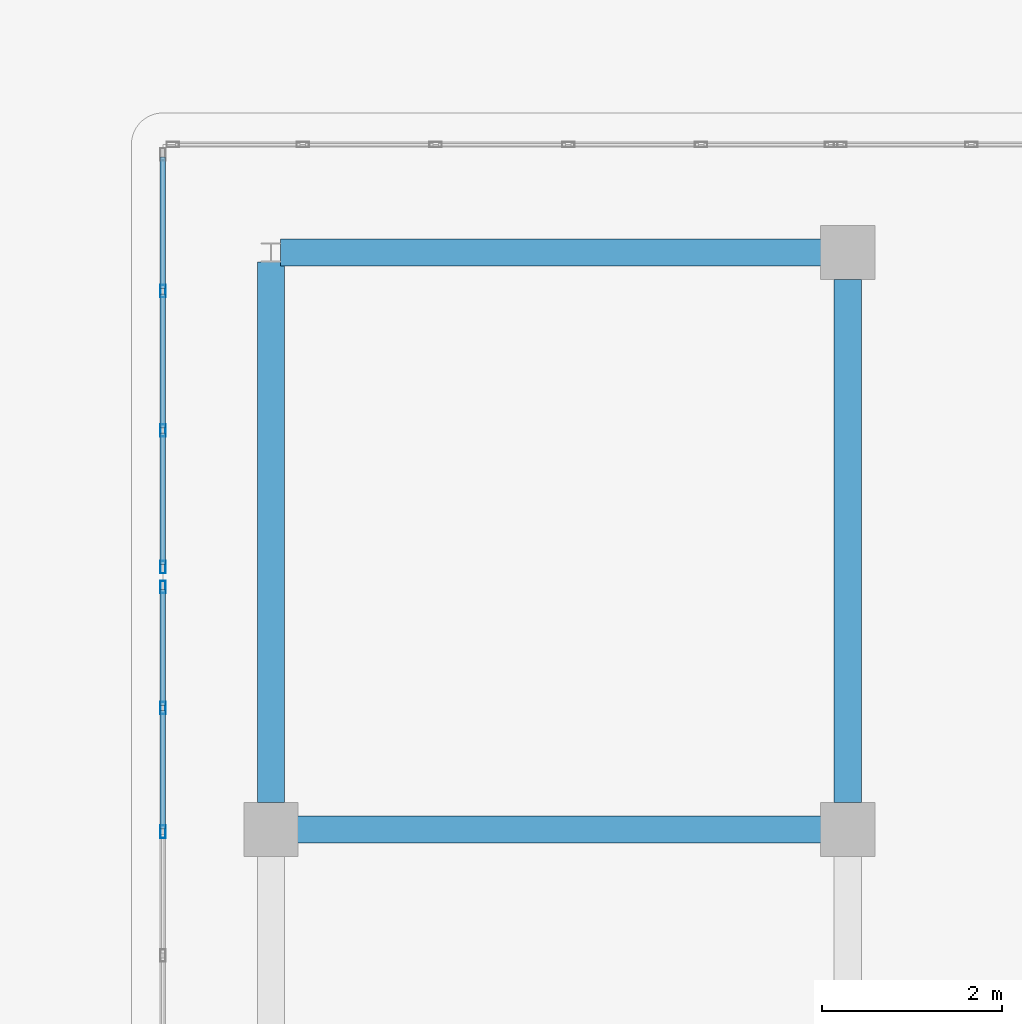
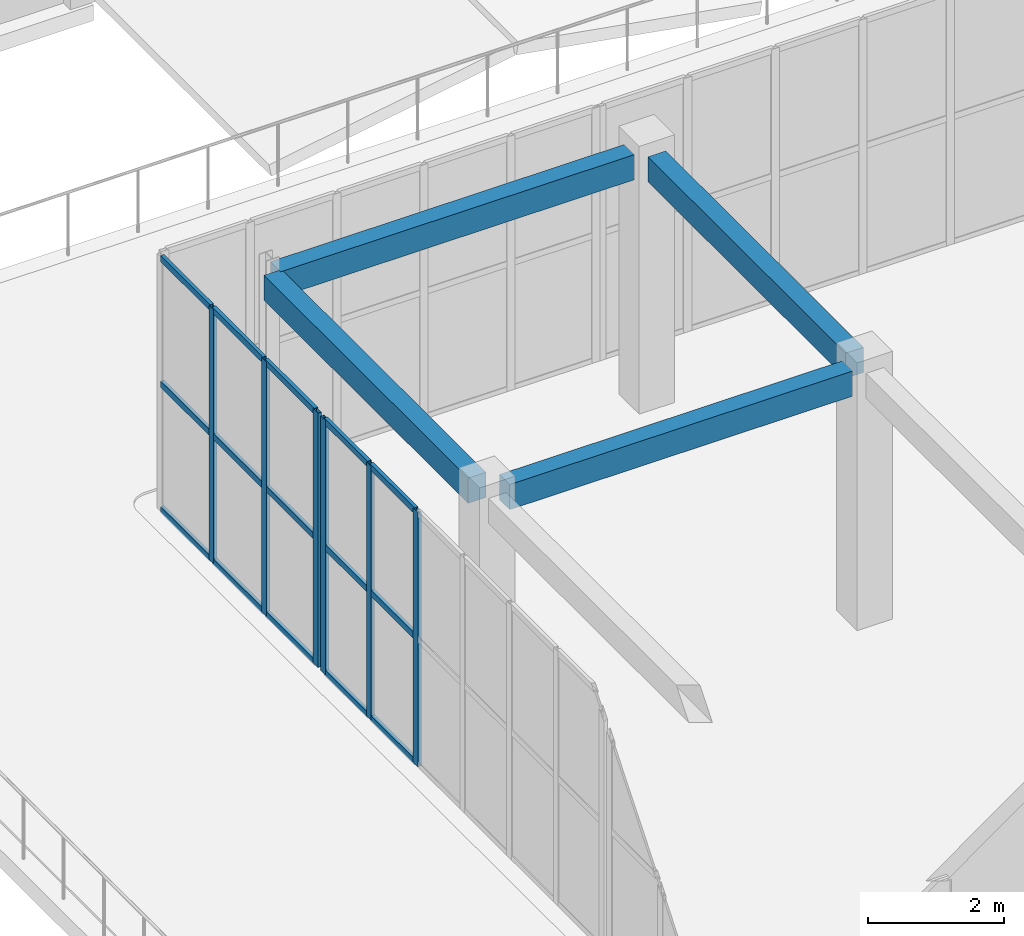
# One storey, part 58 of 158: 21 members, 4 beams, 2 elements without a shape of their own.
"""IFC4 building model written with IfcOpenShell, lengths in metres."""

from ifc_helpers import new_model, si_unit, direction, frame, origin, origin_2d, place, context, subcontext, project, spatial, rectangle, hollow_rectangle, extrude, material, layer, layer_set, material_profile, profile_set, type_object, element, aggregate, save


model = new_model("IFC4")

# Units and contexts
model_context = context("Model", 3, precision=1e-05, world=origin(), true_north=direction((0.0, 1.0)))
body_context = subcontext(model_context, "Body", "Model", "MODEL_VIEW")
ifc_project = project(units=[si_unit("LENGTHUNIT", "METRE"), si_unit("AREAUNIT", "SQUARE_METRE"), si_unit("VOLUMEUNIT", "CUBIC_METRE"), si_unit("PLANEANGLEUNIT", "RADIAN"), si_unit("MASSUNIT", "GRAM", prefix="KILO")], contexts=[model_context])

# Site, building, storey
site_placement = place(None, origin())
site = spatial("IfcSite", under=ifc_project, at=site_placement, CompositionType="ELEMENT")
building_placement = place(site_placement, origin())
building = spatial("IfcBuilding", under=site, at=building_placement, Name="Trelvath General Hospital", CompositionType="ELEMENT")
storey_placement = place(building_placement, frame((0.0, 0.0, 8.10009765625)))
storey = spatial("IfcBuildingStorey", under=building, at=storey_placement, Name="L02", CompositionType="ELEMENT", Elevation=8.10009765625)

# Beams
ifc_material_1 = material(Name="Concrete C35/45", Category="concrete")
ifc_material_profile_1 = material_profile(ifc_material_1, rectangle(XDim=0.300048828125, YDim=0.449951171875, at=origin_2d()), Name="RCB300x450")
ifc_profile_set_1 = profile_set([ifc_material_profile_1], Name="Concrete C35/45")
beam_type = type_object("IfcBeamType", Name="Beam RC300x450", PredefinedType="BEAM", material=ifc_profile_set_1)
beam_1_placement = place(storey_placement, frame((54.696044921875, 72.800048828125, 4.3349609375), z_axis=(1.0, 0.0, 0.0), x_axis=(0.0, 1.0, 0.0)))
element("IfcBeam", 1, at=beam_1_placement, inside=storey, type_object=beam_type, Name="Cube Interior Ring Beam CUBE-W-T1 L02", PredefinedType="BEAM", context=body_context, shape_type="SweptSolid", body=[
    extrude(rectangle(XDim=0.300048828125, YDim=0.449951171875, at=origin_2d()), origin(), (0.0, 0.0, 1.0), 5.807861328125),
])
beam_2_placement = place(storey_placement, frame((54.506103515625, 79.199951171875, 4.3349609375), z_axis=(1.0, 0.0, 0.0), x_axis=(0.0, 1.0, 0.0)))
element("IfcBeam", 2, at=beam_2_placement, inside=storey, type_object=beam_type, Name="Cube Interior Ring Beam CUBE-W-T1 L02", PredefinedType="BEAM", context=body_context, shape_type="SweptSolid", body=[
    extrude(rectangle(XDim=0.300048828125, YDim=0.449951171875, at=origin_2d()), origin(), (0.0, 0.0, 1.0), 5.997802734375),
])
beam_3_placement = place(storey_placement, frame((54.39990234375, 73.095947265625, 4.3349609375), z_axis=(0.0, 1.0, 0.0), x_axis=(-1.0, 0.0, 0.0)))
element("IfcBeam", 3, at=beam_3_placement, inside=storey, type_object=beam_type, Name="Cube Interior Ring Beam CUBE-W-T1 L02", PredefinedType="BEAM", context=body_context, shape_type="SweptSolid", body=[
    extrude(rectangle(XDim=0.300048828125, YDim=0.449951171875, at=origin_2d()), origin(), (0.0, 0.0, 1.0), 5.998046875),
])
beam_4_placement = place(storey_placement, frame((60.800048828125, 73.095947265625, 4.3349609375), z_axis=(0.0, 1.0, 0.0), x_axis=(-1.0, 0.0, 0.0)))
element("IfcBeam", 4, at=beam_4_placement, inside=storey, type_object=beam_type, Name="Cube Interior Ring Beam CUBE-W-T1 L02", PredefinedType="BEAM", context=body_context, shape_type="SweptSolid", body=[
    extrude(rectangle(XDim=0.300048828125, YDim=0.449951171875, at=origin_2d()), origin(), (0.0, 0.0, 1.0), 5.80810546875),
])

# Curtain wall, members
ifc_material_2 = material(Name="Anodised aluminium and low-E glass", Category="aluminium")
ifc_layer_1 = layer(ifc_material_2, 0.139892578125)
ifc_layer_set_1 = layer_set([ifc_layer_1], Name="Anodised aluminium and low-E glass")
curtain_wall_type_1 = type_object("IfcCurtainWallType", Name="CW CrystalCube 824 456 14", PredefinedType="USERDEFINED", material=ifc_layer_set_1)
curtain_wall_1_placement = place(storey_placement, origin())
curtain_wall_1 = element("IfcCurtainWall", 5, at=curtain_wall_1_placement, inside=storey, type_object=curtain_wall_type_1, Name="Crystal Cube Curtain Wall CUBE-W-T1 W6 L02", ObjectType="Unitised Glazed Curtain Wall", PredefinedType="USERDEFINED")
ifc_material_3 = material(Name="Anodised aluminium", Category="aluminium")
ifc_material_profile_2 = material_profile(ifc_material_3, hollow_rectangle(XDim=0.06005859375, YDim=0.139892578125, WallThickness=0.00390625, at=origin_2d()), Name="RHS60x140x4")
ifc_profile_set_2 = profile_set([ifc_material_profile_2], Name="Anodised aluminium")
member_type_1 = type_object("IfcMemberType", Name="CurtainMullion 60x140", PredefinedType="MULLION", material=ifc_profile_set_2)
member_1_placement = place(storey_placement, frame((53.199951171875, 72.7734375, 0.0), z_axis=(0.0, 0.0, 1.0), x_axis=(-1.0, 0.0, 0.0)))
member_1 = element("IfcMember", 6, at=member_1_placement, type_object=member_type_1, Name="CW-201 mullion 5", PredefinedType="MULLION", context=body_context, shape_type="SweptSolid", body=[
    extrude(hollow_rectangle(XDim=0.06005859375, YDim=0.139892578125, WallThickness=0.00390625, at=origin_2d()), origin(), (0.0, 0.0, 1.0), 4.559814453125),
])
member_2_placement = place(storey_placement, frame((53.199951171875, 74.146728515625, 0.0), z_axis=(0.0, 0.0, 1.0), x_axis=(-1.0, 0.0, 0.0)))
member_2 = element("IfcMember", 7, at=member_2_placement, type_object=member_type_1, Name="CW-201 mullion 6", PredefinedType="MULLION", context=body_context, shape_type="SweptSolid", body=[
    extrude(hollow_rectangle(XDim=0.06005859375, YDim=0.139892578125, WallThickness=0.00390625, at=origin_2d()), origin(), (0.0, 0.0, 1.0), 4.559814453125),
])
member_3_placement = place(storey_placement, frame((53.199951171875, 75.489990234375, 0.0), z_axis=(0.0, 0.0, 1.0), x_axis=(-1.0, 0.0, 0.0)))
member_3 = element("IfcMember", 8, at=member_3_placement, type_object=member_type_1, Name="CW-201 mullion 7", PredefinedType="MULLION", context=body_context, shape_type="SweptSolid", body=[
    extrude(hollow_rectangle(XDim=0.06005859375, YDim=0.139892578125, WallThickness=0.00390625, at=origin_2d()), origin(), (0.0, 0.0, 1.0), 4.559814453125),
])

ifc_material_4 = material(Name="Anodised aluminium and low-E glass", Category="aluminium")
ifc_layer_2 = layer(ifc_material_4, 0.139892578125)
ifc_layer_set_2 = layer_set([ifc_layer_2], Name="Anodised aluminium and low-E glass")
curtain_wall_type_2 = type_object("IfcCurtainWallType", Name="CW CrystalCube 464 456 14", PredefinedType="USERDEFINED", material=ifc_layer_set_2)
curtain_wall_2_placement = place(storey_placement, origin())
curtain_wall_2 = element("IfcCurtainWall", 9, at=curtain_wall_2_placement, inside=storey, type_object=curtain_wall_type_2, Name="Crystal Cube Curtain Wall CUBE-W-T1 W7 L02", ObjectType="Unitised Glazed Curtain Wall", PredefinedType="USERDEFINED")
member_4_placement = place(storey_placement, frame((53.199951171875, 75.7099609375, 0.0), z_axis=(0.0, 0.0, 1.0), x_axis=(-1.0, 0.0, 0.0)))
member_4 = element("IfcMember", 10, at=member_4_placement, type_object=member_type_1, Name="CW-203 mullion 1", PredefinedType="MULLION", context=body_context, shape_type="SweptSolid", body=[
    extrude(hollow_rectangle(XDim=0.06005859375, YDim=0.139892578125, WallThickness=0.00390625, at=origin_2d()), origin(), (0.0, 0.0, 1.0), 4.559814453125),
])
member_5_placement = place(storey_placement, frame((53.199951171875, 77.2265625, 0.0), z_axis=(0.0, 0.0, 1.0), x_axis=(-1.0, 0.0, 0.0)))
member_5 = element("IfcMember", 11, at=member_5_placement, type_object=member_type_1, Name="CW-203 mullion 2", PredefinedType="MULLION", context=body_context, shape_type="SweptSolid", body=[
    extrude(hollow_rectangle(XDim=0.06005859375, YDim=0.139892578125, WallThickness=0.00390625, at=origin_2d()), origin(), (0.0, 0.0, 1.0), 4.559814453125),
])
member_6_placement = place(storey_placement, frame((53.199951171875, 78.7734375, 0.0), z_axis=(0.0, 0.0, 1.0), x_axis=(-1.0, 0.0, 0.0)))
member_6 = element("IfcMember", 12, at=member_6_placement, type_object=member_type_1, Name="CW-203 mullion 3", PredefinedType="MULLION", context=body_context, shape_type="SweptSolid", body=[
    extrude(hollow_rectangle(XDim=0.06005859375, YDim=0.139892578125, WallThickness=0.00390625, at=origin_2d()), origin(), (0.0, 0.0, 1.0), 4.559814453125),
])

# Member
ifc_material_5 = material(Name="Anodised aluminium", Category="aluminium")
ifc_material_profile_3 = material_profile(ifc_material_5, hollow_rectangle(XDim=0.06005859375, YDim=0.110107421875, WallThickness=0.00390625, at=origin_2d()), Name="RHS60x110x4")
ifc_profile_set_3 = profile_set([ifc_material_profile_3], Name="Anodised aluminium")
member_type_2 = type_object("IfcMemberType", Name="CurtainTransom 60x110", PredefinedType="USERDEFINED", material=ifc_profile_set_3)
member_7_placement = place(storey_placement, frame((53.199951171875, 72.80322265625, 0.02978515625), z_axis=(0.0, 1.0, 0.0), x_axis=(-1.0, 0.0, 0.0)))
member_7 = element("IfcMember", 13, at=member_7_placement, type_object=member_type_2, Name="CW-201 transom 5.1", ObjectType="TRANSOM", PredefinedType="USERDEFINED", context=body_context, shape_type="SweptSolid", body=[
    extrude(hollow_rectangle(XDim=0.06005859375, YDim=0.110107421875, WallThickness=0.00390625, at=origin_2d()), origin(), (0.0, 0.0, 1.0), 1.3134765625),
])

member_8_placement = place(storey_placement, frame((53.199951171875, 72.80322265625, 2.27978515625), z_axis=(0.0, 1.0, 0.0), x_axis=(-1.0, 0.0, 0.0)))
member_8 = element("IfcMember", 14, at=member_8_placement, type_object=member_type_2, Name="CW-201 transom 5.2", ObjectType="TRANSOM", PredefinedType="USERDEFINED", context=body_context, shape_type="SweptSolid", body=[
    extrude(hollow_rectangle(XDim=0.06005859375, YDim=0.110107421875, WallThickness=0.00390625, at=origin_2d()), origin(), (0.0, 0.0, 1.0), 1.3134765625),
])

member_9_placement = place(storey_placement, frame((53.199951171875, 72.80322265625, 4.52978515625), z_axis=(0.0, 1.0, 0.0), x_axis=(-1.0, 0.0, 0.0)))
member_9 = element("IfcMember", 15, at=member_9_placement, type_object=member_type_2, Name="CW-201 transom 5.3", ObjectType="TRANSOM", PredefinedType="USERDEFINED", context=body_context, shape_type="SweptSolid", body=[
    extrude(hollow_rectangle(XDim=0.06005859375, YDim=0.110107421875, WallThickness=0.00390625, at=origin_2d()), origin(), (0.0, 0.0, 1.0), 1.3134765625),
])

member_10_placement = place(storey_placement, frame((53.199951171875, 74.1767578125, 0.02978515625), z_axis=(0.0, 1.0, 0.0), x_axis=(-1.0, 0.0, 0.0)))
member_10 = element("IfcMember", 16, at=member_10_placement, type_object=member_type_2, Name="CW-201 transom 6.1", ObjectType="TRANSOM", PredefinedType="USERDEFINED", context=body_context, shape_type="SweptSolid", body=[
    extrude(hollow_rectangle(XDim=0.06005859375, YDim=0.110107421875, WallThickness=0.00390625, at=origin_2d()), origin(), (0.0, 0.0, 1.0), 1.283203125),
])

member_11_placement = place(storey_placement, frame((53.199951171875, 74.1767578125, 2.27978515625), z_axis=(0.0, 1.0, 0.0), x_axis=(-1.0, 0.0, 0.0)))
member_11 = element("IfcMember", 17, at=member_11_placement, type_object=member_type_2, Name="CW-201 transom 6.2", ObjectType="TRANSOM", PredefinedType="USERDEFINED", context=body_context, shape_type="SweptSolid", body=[
    extrude(hollow_rectangle(XDim=0.06005859375, YDim=0.110107421875, WallThickness=0.00390625, at=origin_2d()), origin(), (0.0, 0.0, 1.0), 1.283203125),
])

member_12_placement = place(storey_placement, frame((53.199951171875, 74.1767578125, 4.52978515625), z_axis=(0.0, 1.0, 0.0), x_axis=(-1.0, 0.0, 0.0)))
member_12 = element("IfcMember", 18, at=member_12_placement, type_object=member_type_2, Name="CW-201 transom 6.3", ObjectType="TRANSOM", PredefinedType="USERDEFINED", context=body_context, shape_type="SweptSolid", body=[
    extrude(hollow_rectangle(XDim=0.06005859375, YDim=0.110107421875, WallThickness=0.00390625, at=origin_2d()), origin(), (0.0, 0.0, 1.0), 1.283203125),
])

aggregate(curtain_wall_1, [member_1, member_2, member_3, member_7, member_8, member_9, member_10, member_11, member_12])

member_13_placement = place(storey_placement, frame((53.199951171875, 75.739990234375, 0.02978515625), z_axis=(0.0, 1.0, 0.0), x_axis=(-1.0, 0.0, 0.0)))
member_13 = element("IfcMember", 19, at=member_13_placement, type_object=member_type_2, Name="CW-203 transom 1.1", ObjectType="TRANSOM", PredefinedType="USERDEFINED", context=body_context, shape_type="SweptSolid", body=[
    extrude(hollow_rectangle(XDim=0.06005859375, YDim=0.110107421875, WallThickness=0.00390625, at=origin_2d()), origin(), (0.0, 0.0, 1.0), 1.456787109375),
])

member_14_placement = place(storey_placement, frame((53.199951171875, 75.739990234375, 2.27978515625), z_axis=(0.0, 1.0, 0.0), x_axis=(-1.0, 0.0, 0.0)))
member_14 = element("IfcMember", 20, at=member_14_placement, type_object=member_type_2, Name="CW-203 transom 1.2", ObjectType="TRANSOM", PredefinedType="USERDEFINED", context=body_context, shape_type="SweptSolid", body=[
    extrude(hollow_rectangle(XDim=0.06005859375, YDim=0.110107421875, WallThickness=0.00390625, at=origin_2d()), origin(), (0.0, 0.0, 1.0), 1.456787109375),
])

member_15_placement = place(storey_placement, frame((53.199951171875, 75.739990234375, 4.52978515625), z_axis=(0.0, 1.0, 0.0), x_axis=(-1.0, 0.0, 0.0)))
member_15 = element("IfcMember", 21, at=member_15_placement, type_object=member_type_2, Name="CW-203 transom 1.3", ObjectType="TRANSOM", PredefinedType="USERDEFINED", context=body_context, shape_type="SweptSolid", body=[
    extrude(hollow_rectangle(XDim=0.06005859375, YDim=0.110107421875, WallThickness=0.00390625, at=origin_2d()), origin(), (0.0, 0.0, 1.0), 1.456787109375),
])

member_16_placement = place(storey_placement, frame((53.199951171875, 77.256591796875, 0.02978515625), z_axis=(0.0, 1.0, 0.0), x_axis=(-1.0, 0.0, 0.0)))
member_16 = element("IfcMember", 22, at=member_16_placement, type_object=member_type_2, Name="CW-203 transom 2.1", ObjectType="TRANSOM", PredefinedType="USERDEFINED", context=body_context, shape_type="SweptSolid", body=[
    extrude(hollow_rectangle(XDim=0.06005859375, YDim=0.110107421875, WallThickness=0.00390625, at=origin_2d()), origin(), (0.0, 0.0, 1.0), 1.48681640625),
])

member_17_placement = place(storey_placement, frame((53.199951171875, 77.256591796875, 2.27978515625), z_axis=(0.0, 1.0, 0.0), x_axis=(-1.0, 0.0, 0.0)))
member_17 = element("IfcMember", 23, at=member_17_placement, type_object=member_type_2, Name="CW-203 transom 2.2", ObjectType="TRANSOM", PredefinedType="USERDEFINED", context=body_context, shape_type="SweptSolid", body=[
    extrude(hollow_rectangle(XDim=0.06005859375, YDim=0.110107421875, WallThickness=0.00390625, at=origin_2d()), origin(), (0.0, 0.0, 1.0), 1.48681640625),
])

member_18_placement = place(storey_placement, frame((53.199951171875, 77.256591796875, 4.52978515625), z_axis=(0.0, 1.0, 0.0), x_axis=(-1.0, 0.0, 0.0)))
member_18 = element("IfcMember", 24, at=member_18_placement, type_object=member_type_2, Name="CW-203 transom 2.3", ObjectType="TRANSOM", PredefinedType="USERDEFINED", context=body_context, shape_type="SweptSolid", body=[
    extrude(hollow_rectangle(XDim=0.06005859375, YDim=0.110107421875, WallThickness=0.00390625, at=origin_2d()), origin(), (0.0, 0.0, 1.0), 1.48681640625),
])

member_19_placement = place(storey_placement, frame((53.199951171875, 78.80322265625, 0.02978515625), z_axis=(0.0, 1.0, 0.0), x_axis=(-1.0, 0.0, 0.0)))
member_19 = element("IfcMember", 25, at=member_19_placement, type_object=member_type_2, Name="CW-203 transom 3.1", ObjectType="TRANSOM", PredefinedType="USERDEFINED", context=body_context, shape_type="SweptSolid", body=[
    extrude(hollow_rectangle(XDim=0.06005859375, YDim=0.110107421875, WallThickness=0.00390625, at=origin_2d()), origin(), (0.0, 0.0, 1.0), 1.456787109375),
])

member_20_placement = place(storey_placement, frame((53.199951171875, 78.80322265625, 2.27978515625), z_axis=(0.0, 1.0, 0.0), x_axis=(-1.0, 0.0, 0.0)))
member_20 = element("IfcMember", 26, at=member_20_placement, type_object=member_type_2, Name="CW-203 transom 3.2", ObjectType="TRANSOM", PredefinedType="USERDEFINED", context=body_context, shape_type="SweptSolid", body=[
    extrude(hollow_rectangle(XDim=0.06005859375, YDim=0.110107421875, WallThickness=0.00390625, at=origin_2d()), origin(), (0.0, 0.0, 1.0), 1.456787109375),
])

member_21_placement = place(storey_placement, frame((53.199951171875, 78.80322265625, 4.52978515625), z_axis=(0.0, 1.0, 0.0), x_axis=(-1.0, 0.0, 0.0)))
member_21 = element("IfcMember", 27, at=member_21_placement, type_object=member_type_2, Name="CW-203 transom 3.3", ObjectType="TRANSOM", PredefinedType="USERDEFINED", context=body_context, shape_type="SweptSolid", body=[
    extrude(hollow_rectangle(XDim=0.06005859375, YDim=0.110107421875, WallThickness=0.00390625, at=origin_2d()), origin(), (0.0, 0.0, 1.0), 1.456787109375),
])

aggregate(curtain_wall_2, [member_4, member_5, member_6, member_13, member_14, member_15, member_16, member_17, member_18, member_19, member_20, member_21])

save(model, "model.ifc")
